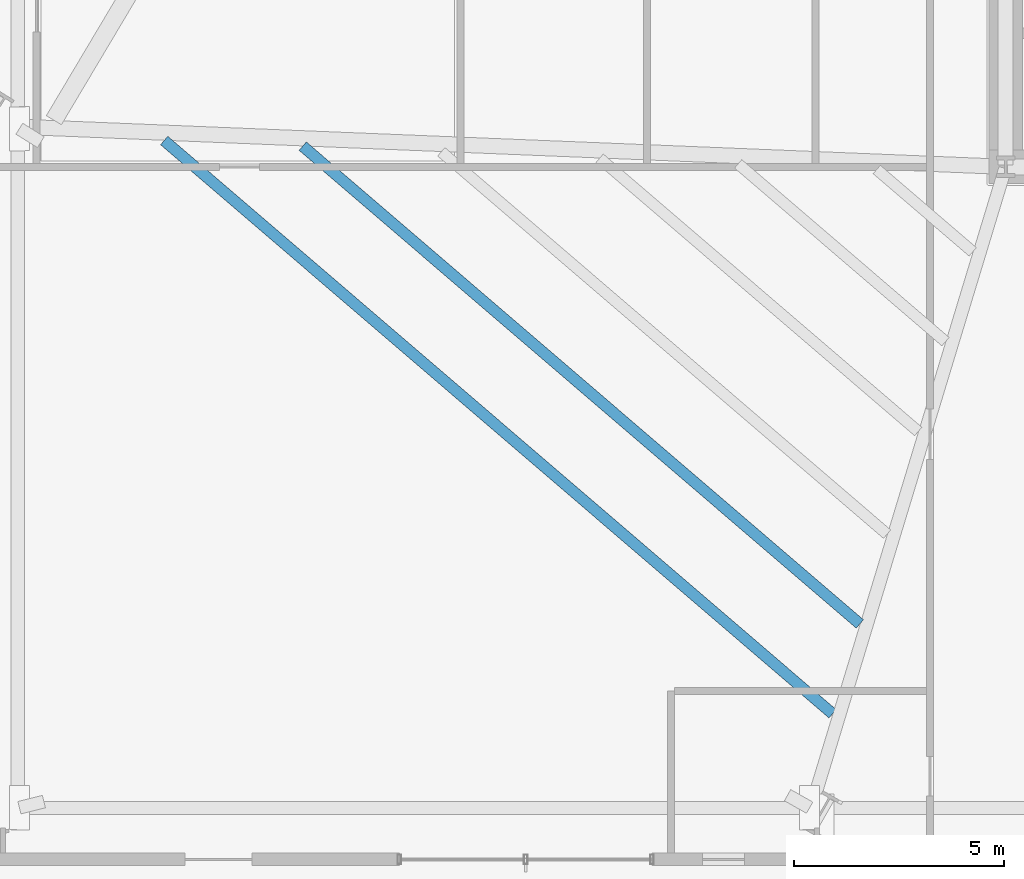
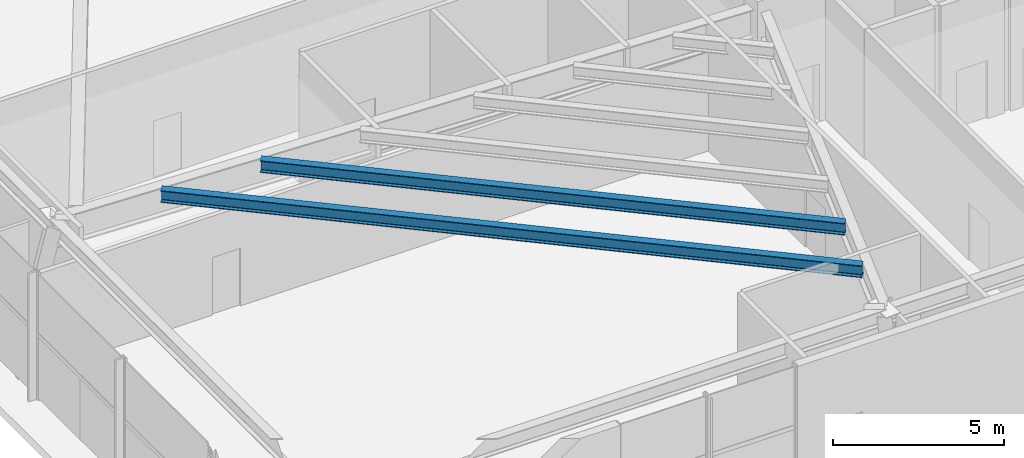
# One storey, part 5 of 31: 2 beams.
"""IFC4 building model written with IfcOpenShell, lengths in metres."""

from ifc_helpers import new_model, si_unit, direction, frame, origin, origin_2d, place, context, subcontext, project, spatial, i_section, extrude, source, transform, mapped, material, material_profile, profile_set, type_object, type_shapes, element, save


model = new_model("IFC4")

# Units and contexts
model_context = context("Model", 3, precision=1e-05, world=origin(), true_north=direction((0.0, 1.0)))
body_context = subcontext(model_context, "Body", "Model", "MODEL_VIEW")
ifc_project = project(units=[si_unit("LENGTHUNIT", "METRE"), si_unit("AREAUNIT", "SQUARE_METRE"), si_unit("VOLUMEUNIT", "CUBIC_METRE"), si_unit("PLANEANGLEUNIT", "RADIAN"), si_unit("MASSUNIT", "GRAM", prefix="KILO")], contexts=[model_context])

# Site, building, storey
site_placement = place(None, origin())
site = spatial("IfcSite", under=ifc_project, at=site_placement, CompositionType="ELEMENT")
building_placement = place(site_placement, origin())
building = spatial("IfcBuilding", under=site, at=building_placement, Name="Astriad Promenade Condominiums", CompositionType="ELEMENT")
storey_placement = place(building_placement, origin())
storey = spatial("IfcBuildingStorey", under=building, at=storey_placement, Name="L00", CompositionType="ELEMENT", Elevation=0.0)

# Beams
ifc_material = material(Name="Steel ASTM A992 Grade 50", Category="steel")
ifc_material_profile = material_profile(ifc_material, i_section(OverallWidth=0.26318359375, OverallDepth=0.425537109375, WebThickness=0.01318359375, FlangeThickness=0.022216796875, FilletRadius=0.013916015625, at=origin_2d()), Name="W16X89")
ifc_profile_set = profile_set([ifc_material_profile], Name="Steel ASTM A992 Grade 50")
beam_type = type_object("IfcBeamType", Name="STEEL FLOOR JOIST W16X89", PredefinedType="JOIST", material=ifc_profile_set)
shared_shape_1 = source(origin(), body_context, "Body", "SweptSolid", [
    extrude(i_section(OverallWidth=0.26318359375, OverallDepth=0.425537109375, WebThickness=0.01318359375, FlangeThickness=0.022216796875, FilletRadius=0.013916015625, at=origin_2d()), origin(), (0.0, 0.0, 1.0), 20.916259765625),
])
beam_1_placement = place(storey_placement, frame((6.41064453125, 18.02587890625, 4.3671875), z_axis=(0.759070364421, -0.65100858816, 0.0), x_axis=(0.65100858816, 0.759070364421, 0.0)))
element("IfcBeam", 1, at=beam_1_placement, inside=storey, type_object=beam_type, Name="Secondary Composite Floor Joist JW1-1-L00", PredefinedType="JOIST", context=body_context, shape_type="MappedRepresentation", body=[
    mapped(shared_shape_1, transform((0.0, 0.0, 0.0), scale=1.0)),
])
shared_shape_2 = source(origin(), body_context, "Body", "SweptSolid", [
    extrude(i_section(OverallWidth=0.26318359375, OverallDepth=0.425537109375, WebThickness=0.01318359375, FlangeThickness=0.022216796875, FilletRadius=0.013916015625, at=origin_2d()), origin(), (0.0, 0.0, 1.0), 17.433349609375),
])
type_shapes(beam_type, [shared_shape_1, shared_shape_2])
beam_2_placement = place(storey_placement, frame((9.701904296875, 17.89208984375, 4.3671875), z_axis=(0.759074681661, -0.651003554262, 0.0), x_axis=(0.651003554262, 0.759074681661, 0.0)))
element("IfcBeam", 2, at=beam_2_placement, inside=storey, type_object=beam_type, Name="Secondary Composite Floor Joist JW1-2-L00", PredefinedType="JOIST", context=body_context, shape_type="MappedRepresentation", body=[
    mapped(shared_shape_2, transform((0.0, 0.0, 0.0), scale=1.0)),
])

save(model, "model.ifc")
